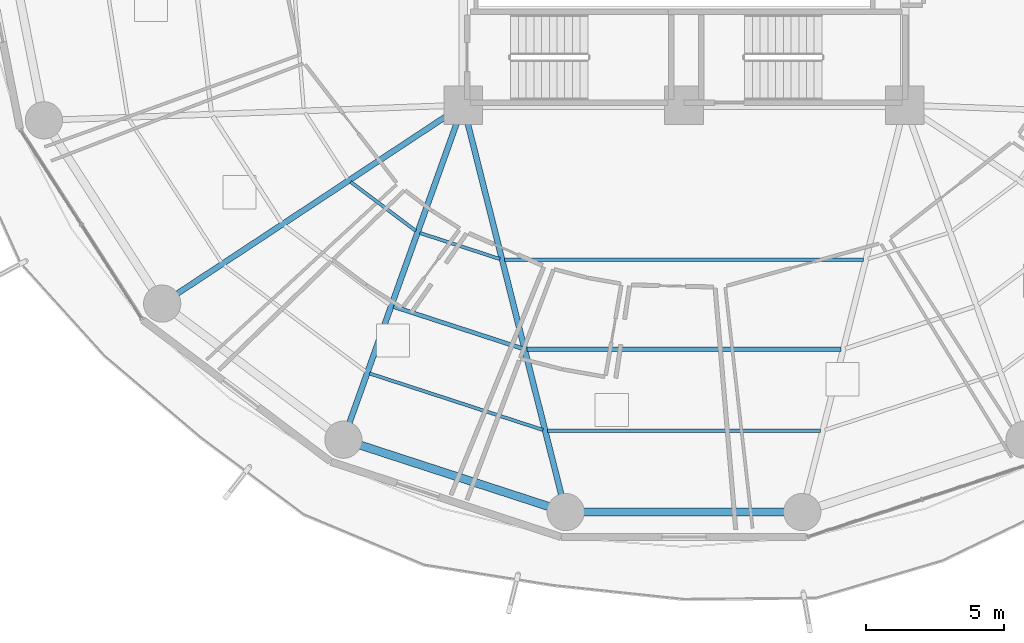
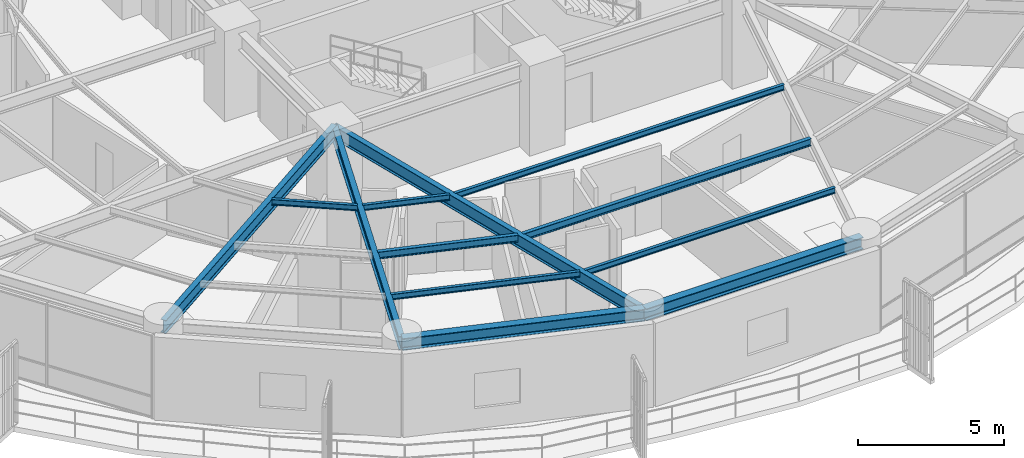
# One storey, part 3 of 34: 12 beams.
"""IFC4 building model written with IfcOpenShell, lengths in metres."""

from ifc_helpers import new_model, si_unit, direction, frame, origin, origin_2d, place, context, subcontext, project, spatial, i_section, extrude, material, material_profile, profile_set, type_object, element, save


model = new_model("IFC4")

# Units and contexts
model_context = context("Model", 3, precision=1e-05, world=origin(), true_north=direction((0.0, 1.0)))
body_context = subcontext(model_context, "Body", "Model", "MODEL_VIEW")
ifc_project = project(units=[si_unit("LENGTHUNIT", "METRE"), si_unit("AREAUNIT", "SQUARE_METRE"), si_unit("VOLUMEUNIT", "CUBIC_METRE"), si_unit("PLANEANGLEUNIT", "RADIAN"), si_unit("MASSUNIT", "GRAM", prefix="KILO")], contexts=[model_context])

# Site, building, storey
site_placement = place(None, origin())
site = spatial("IfcSite", under=ifc_project, at=site_placement, CompositionType="ELEMENT")
building_placement = place(site_placement, origin())
building = spatial("IfcBuilding", under=site, at=building_placement, Name="Kelanora Arch Commons", CompositionType="ELEMENT")
storey_placement = place(building_placement, frame((0.0, 0.0, 76.35009765625)))
storey = spatial("IfcBuildingStorey", under=building, at=storey_placement, Name="L19", CompositionType="ELEMENT", Elevation=76.35009765625)

# Beams
ifc_material = material(Name="Steel S355", Category="steel")
ifc_material_profile_1 = material_profile(ifc_material, i_section(OverallWidth=0.14990234375, OverallDepth=0.300048828125, WebThickness=0.007080078125, FlangeThickness=0.0107421875, FilletRadius=0.014892578125, at=origin_2d()), Name="IPE300")
ifc_profile_set_1 = profile_set([ifc_material_profile_1], Name="Steel S355")
beam_type_1 = type_object("IfcBeamType", Name="BM-JST-01", PredefinedType="JOIST", material=ifc_profile_set_1)
beam_1_placement = place(storey_placement, frame((63.476806640625, 43.70068359375, 3.33984375), z_axis=(0.950857140254, -0.309629938521, 0.0), x_axis=(0.309629938521, 0.950857140254, 0.0)))
element("IfcBeam", 1, at=beam_1_placement, inside=storey, type_object=beam_type_1, Name="Secondary Chord Joist BJB-24 L19", PredefinedType="JOIST", context=body_context, shape_type="SweptSolid", body=[
    extrude(i_section(OverallWidth=0.14990234375, OverallDepth=0.300048828125, WebThickness=0.007080078125, FlangeThickness=0.0107421875, FilletRadius=0.014892578125, at=origin_2d()), origin(), (0.0, 0.0, 1.0), 4.912353515625),
])
beam_2_placement = place(storey_placement, frame((68.313720703125, 42.1533203125, 3.33984375), z_axis=(1.0, 0.0, 0.0), x_axis=(0.0, 1.0, 0.0)))
element("IfcBeam", 2, at=beam_2_placement, inside=storey, type_object=beam_type_1, Name="Secondary Chord Joist BJB-26 L19", PredefinedType="JOIST", context=body_context, shape_type="SweptSolid", body=[
    extrude(i_section(OverallWidth=0.14990234375, OverallDepth=0.300048828125, WebThickness=0.007080078125, FlangeThickness=0.0107421875, FilletRadius=0.014892578125, at=origin_2d()), origin(), (0.0, 0.0, 1.0), 11.37255859375),
])
ifc_material_profile_2 = material_profile(ifc_material, i_section(OverallWidth=0.1201171875, OverallDepth=0.239990234375, WebThickness=0.006103515625, FlangeThickness=0.009765625, FilletRadius=0.014892578125, at=origin_2d()), Name="IPE240")
ifc_profile_set_2 = profile_set([ifc_material_profile_2], Name="Steel S355")
beam_type_2 = type_object("IfcBeamType", Name="BM-JST-02", PredefinedType="JOIST", material=ifc_profile_set_2)
beam_3_placement = place(storey_placement, frame((61.923583984375, 48.2158203125, 3.369873046875), z_axis=(0.799692034361, -0.600410401458, 0.0), x_axis=(0.600410401458, 0.799692034361, 0.0)))
element("IfcBeam", 3, at=beam_3_placement, inside=storey, type_object=beam_type_2, Name="Secondary Chord Joist BJA-22 L19", PredefinedType="JOIST", context=body_context, shape_type="SweptSolid", body=[
    extrude(i_section(OverallWidth=0.1201171875, OverallDepth=0.239990234375, WebThickness=0.006103515625, FlangeThickness=0.009765625, FilletRadius=0.014892578125, at=origin_2d()), origin(), (0.0, 0.0, 1.0), 2.949951171875),
])
beam_4_placement = place(storey_placement, frame((64.431640625, 46.367431640625, 3.369873046875), z_axis=(0.950846758946, -0.309661817151, 0.0), x_axis=(0.309661817151, 0.950846758946, 0.0)))
element("IfcBeam", 4, at=beam_4_placement, inside=storey, type_object=beam_type_2, Name="Secondary Chord Joist BJA-24 L19", PredefinedType="JOIST", context=body_context, shape_type="SweptSolid", body=[
    extrude(i_section(OverallWidth=0.1201171875, OverallDepth=0.239990234375, WebThickness=0.006103515625, FlangeThickness=0.009765625, FilletRadius=0.014892578125, at=origin_2d()), origin(), (0.0, 0.0, 1.0), 3.048828125),
])
beam_5_placement = place(storey_placement, frame((62.60888671875, 41.276123046875, 3.369873046875), z_axis=(0.950862829272, -0.309612467301, 0.0), x_axis=(0.309612467301, 0.950862829272, 0.0)))
element("IfcBeam", 5, at=beam_5_placement, inside=storey, type_object=beam_type_2, Name="Secondary Chord Joist BJC-24 L19", PredefinedType="JOIST", context=body_context, shape_type="SweptSolid", body=[
    extrude(i_section(OverallWidth=0.1201171875, OverallDepth=0.239990234375, WebThickness=0.006103515625, FlangeThickness=0.009765625, FilletRadius=0.014892578125, at=origin_2d()), origin(), (0.0, 0.0, 1.0), 6.6064453125),
])
beam_6_placement = place(storey_placement, frame((67.49658203125, 45.397216796875, 3.369873046875), z_axis=(1.0, 0.0, 0.0), x_axis=(0.0, 1.0, 0.0)))
element("IfcBeam", 6, at=beam_6_placement, inside=storey, type_object=beam_type_2, Name="Secondary Chord Joist BJA-26 L19", PredefinedType="JOIST", context=body_context, shape_type="SweptSolid", body=[
    extrude(i_section(OverallWidth=0.1201171875, OverallDepth=0.239990234375, WebThickness=0.006103515625, FlangeThickness=0.009765625, FilletRadius=0.014892578125, at=origin_2d()), origin(), (0.0, 0.0, 1.0), 13.0068359375),
])
beam_7_placement = place(storey_placement, frame((69.056396484375, 39.204345703125, 3.369873046875), z_axis=(1.0, 0.0, 0.0), x_axis=(0.0, 1.0, 0.0)))
element("IfcBeam", 7, at=beam_7_placement, inside=storey, type_object=beam_type_2, Name="Secondary Chord Joist BJC-26 L19", PredefinedType="JOIST", context=body_context, shape_type="SweptSolid", body=[
    extrude(i_section(OverallWidth=0.1201171875, OverallDepth=0.239990234375, WebThickness=0.006103515625, FlangeThickness=0.009765625, FilletRadius=0.014892578125, at=origin_2d()), origin(), (0.0, 0.0, 1.0), 9.88720703125),
])
ifc_material_profile_3 = material_profile(ifc_material, i_section(OverallWidth=0.2099609375, OverallDepth=0.550048828125, WebThickness=0.010986328125, FlangeThickness=0.01708984375, FilletRadius=0.02392578125, at=origin_2d()), Name="IPE550")
ifc_profile_set_3 = profile_set([ifc_material_profile_3], Name="Steel S355")
beam_type_3 = type_object("IfcBeamType", Name="BM-RAD-Z2", PredefinedType="BEAM", material=ifc_profile_set_3)
beam_8_placement = place(storey_placement, frame((66.0, 51.0, 3.21484375), z_axis=(-0.834788577908, -0.550570640512, 0.0), x_axis=(0.550570640512, -0.834788577908, 0.0)))
element("IfcBeam", 8, at=beam_8_placement, inside=storey, type_object=beam_type_3, Name="Radial Floor Girder BR-22 L19", PredefinedType="BEAM", context=body_context, shape_type="SweptSolid", body=[
    extrude(i_section(OverallWidth=0.2099609375, OverallDepth=0.550048828125, WebThickness=0.010986328125, FlangeThickness=0.01708984375, FilletRadius=0.02392578125, at=origin_2d()), origin(), (0.0, 0.0, 1.0), 13.064453125),
])
beam_9_placement = place(storey_placement, frame((66.0, 51.0, 3.21484375), z_axis=(-0.337084640008, -0.941474346687, 0.0), x_axis=(0.941474346687, -0.337084640008, 0.0)))
element("IfcBeam", 9, at=beam_9_placement, inside=storey, type_object=beam_type_3, Name="Radial Floor Girder BR-24 L19", PredefinedType="BEAM", context=body_context, shape_type="SweptSolid", body=[
    extrude(i_section(OverallWidth=0.2099609375, OverallDepth=0.550048828125, WebThickness=0.010986328125, FlangeThickness=0.01708984375, FilletRadius=0.02392578125, at=origin_2d()), origin(), (0.0, 0.0, 1.0), 12.875244140625),
])
beam_10_placement = place(storey_placement, frame((66.0, 51.0, 3.21484375), z_axis=(0.244280647475, -0.969704576286, 0.0), x_axis=(0.969704576286, 0.244280647475, 0.0)))
element("IfcBeam", 10, at=beam_10_placement, inside=storey, type_object=beam_type_3, Name="Radial Floor Girder BR-26 L19", PredefinedType="BEAM", context=body_context, shape_type="SweptSolid", body=[
    extrude(i_section(OverallWidth=0.2099609375, OverallDepth=0.550048828125, WebThickness=0.010986328125, FlangeThickness=0.01708984375, FilletRadius=0.02392578125, at=origin_2d()), origin(), (0.0, 0.0, 1.0), 15.205322265625),
])
ifc_material_profile_4 = material_profile(ifc_material, i_section(OverallWidth=0.300048828125, OverallDepth=0.5, WebThickness=0.014404296875, FlangeThickness=0.028076171875, FilletRadius=0.027099609375, at=origin_2d()), Name="HEB500")
ifc_profile_set_4 = profile_set([ifc_material_profile_4], Name="Steel S355")
beam_type_4 = type_object("IfcBeamType", Name="BM-SPN-Z2", PredefinedType="SPANDREL", material=ifc_profile_set_4)
beam_11_placement = place(storey_placement, frame((61.659912109375, 38.878173828125, 3.239990234375), z_axis=(0.950856631974, -0.309631499418, 0.0), x_axis=(0.309631499418, 0.950856631974, 0.0)))
element("IfcBeam", 11, at=beam_11_placement, inside=storey, type_object=beam_type_4, Name="Perimeter Spandrel Beam BS-24 L19", PredefinedType="SPANDREL", context=body_context, shape_type="SweptSolid", body=[
    extrude(i_section(OverallWidth=0.300048828125, OverallDepth=0.5, WebThickness=0.014404296875, FlangeThickness=0.028076171875, FilletRadius=0.027099609375, at=origin_2d()), origin(), (0.0, 0.0, 1.0), 8.470703125),
])
beam_12_placement = place(storey_placement, frame((69.71435546875, 36.25537109375, 3.239990234375), z_axis=(1.0, 0.0, 0.0), x_axis=(0.0, 1.0, 0.0)))
element("IfcBeam", 12, at=beam_12_placement, inside=storey, type_object=beam_type_4, Name="Perimeter Spandrel Beam BS-26 L19", PredefinedType="SPANDREL", context=body_context, shape_type="SweptSolid", body=[
    extrude(i_section(OverallWidth=0.300048828125, OverallDepth=0.5, WebThickness=0.014404296875, FlangeThickness=0.028076171875, FilletRadius=0.027099609375, at=origin_2d()), origin(), (0.0, 0.0, 1.0), 8.5712890625),
])

save(model, "model.ifc")
